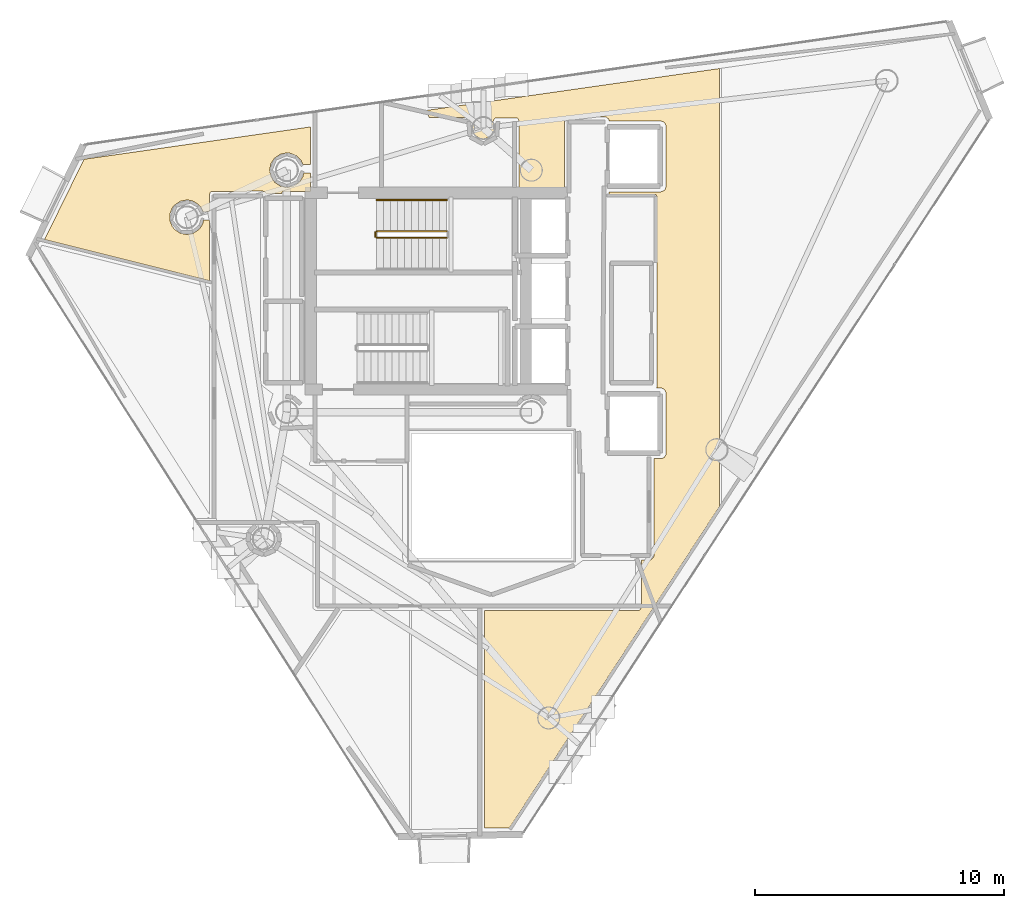
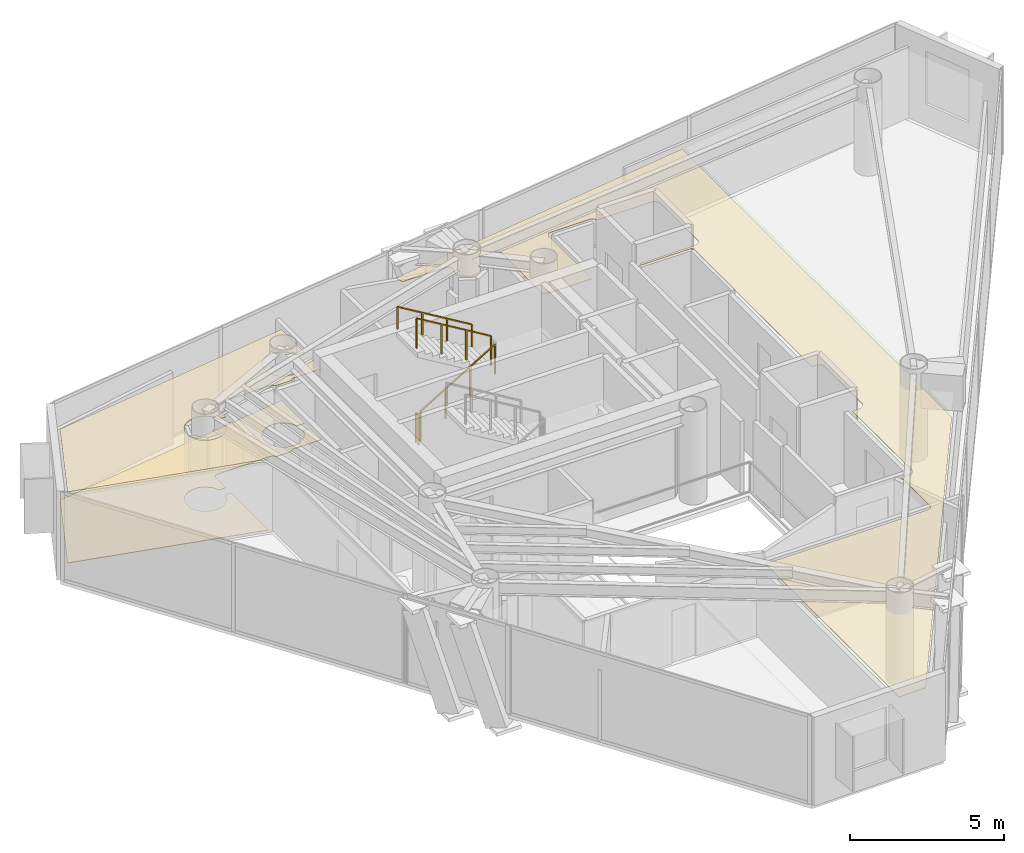
# One storey, part 24 of 25: 4 railings, 3 coverings.
"""IFC4 building model written with IfcOpenShell, lengths in metres."""

from ifc_helpers import new_model, si_unit, direction, frame, origin, origin_2d, place, context, subcontext, project, spatial, polyline, rectangle, outline, extrude, material, layer, layer_set, type_object, element, save


model = new_model("IFC4")

# Units and contexts
model_context = context("Model", 3, precision=1e-05, world=origin(), true_north=direction((0.0, 1.0)))
body_context = subcontext(model_context, "Body", "Model", "MODEL_VIEW")
ifc_project = project(units=[si_unit("LENGTHUNIT", "METRE"), si_unit("AREAUNIT", "SQUARE_METRE"), si_unit("VOLUMEUNIT", "CUBIC_METRE"), si_unit("PLANEANGLEUNIT", "RADIAN"), si_unit("MASSUNIT", "GRAM", prefix="KILO")], contexts=[model_context])

# Site, building, storey
site_placement = place(None, origin())
site = spatial("IfcSite", under=ifc_project, at=site_placement, CompositionType="ELEMENT")
building_placement = place(site_placement, origin())
building = spatial("IfcBuilding", under=site, at=building_placement, Name="Qianvela Tower", CompositionType="ELEMENT")
storey_placement = place(building_placement, frame((0.0, 0.0, 295.39990234375)))
storey = spatial("IfcBuildingStorey", under=building, at=storey_placement, Name="L76", CompositionType="ELEMENT", Elevation=295.39990234375)

# Coverings
ifc_material_1 = material(Name="Perforated Mineral Acoustic Ceiling Tile")
ifc_layer_1 = layer(ifc_material_1, 0.02490234375)
ifc_layer_set_1 = layer_set([ifc_layer_1], Name="Perforated Mineral Acoustic Ceiling Tile")
covering_type_1 = type_object("IfcCoveringType", Name="COV-CEIL-ACOUSTIC-25", PredefinedType="CEILING", material=ifc_layer_set_1)
covering_1_placement = place(storey_placement, frame((0.0, 0.0, 2.815185546875)))
element("IfcCovering", 1, at=covering_1_placement, inside=storey, type_object=covering_type_1, Name="L76 Acoustic Ceiling Bay 1 Campus Convenience Shop L76-03", PredefinedType="CEILING", context=body_context, shape_type="SweptSolid", body=[
    extrude(outline(polyline([(42.744384765625, 15.9228515625), (42.7509765625, 15.927001953125), (42.75732421875, 15.931640625), (42.76318359375, 15.93701171875), (42.768310546875, 15.942626953125), (42.773193359375, 15.948974609375), (42.777099609375, 15.955810546875), (42.780517578125, 15.962890625), (42.803955078125, 16.019287109375), (42.806640625, 16.02685546875), (42.80859375, 16.034423828125), (42.8095703125, 16.042236328125), (42.81005859375, 16.050048828125), (42.8076171875, 17.920166015625), (43.157958984375, 17.92041015625), (43.165771484375, 17.9208984375), (43.173583984375, 17.921875), (43.18115234375, 17.923828125), (43.1884765625, 17.926513671875), (43.195556640625, 17.9296875), (43.202392578125, 17.933837890625), (43.20849609375, 17.938720703125), (43.21435546875, 17.94384765625), (43.2861328125, 18.015625), (43.29150390625, 18.021484375), (43.296142578125, 18.027587890625), (43.30029296875, 18.034423828125), (43.303466796875, 18.04150390625), (43.30615234375, 18.048828125), (43.30810546875, 18.056640625), (43.30908203125, 18.064208984375), (43.3095703125, 18.072265625), (43.309326171875, 21.980712890625), (43.60791015625, 21.982666015625), (43.615478515625, 21.983154296875), (43.623291015625, 21.984375), (43.630859375, 21.986083984375), (43.637939453125, 21.98876953125), (43.64501953125, 21.9921875), (43.716796875, 22.030517578125), (43.723388671875, 22.034423828125), (43.729736328125, 22.039306640625), (43.735595703125, 22.04443359375), (43.74072265625, 22.05029296875), (43.74560546875, 22.056640625), (43.74951171875, 22.063232421875), (43.787841796875, 22.135009765625), (43.791259765625, 22.14208984375), (43.7939453125, 22.1494140625), (43.7958984375, 22.156982421875), (43.796875, 22.164794921875), (43.79736328125, 22.172607421875), (43.79931640625, 24.61376953125), (43.799072265625, 24.62060546875), (43.798095703125, 24.627685546875), (43.79638671875, 24.634765625), (43.79443359375, 24.641357421875), (43.79150390625, 24.64794921875), (43.751220703125, 24.733154296875), (43.74755859375, 24.739990234375), (43.743408203125, 24.74658203125), (43.73828125, 24.752685546875), (43.732666015625, 24.75830078125), (43.726806640625, 24.76318359375), (43.72021484375, 24.767578125), (43.713134765625, 24.771240234375), (43.6279296875, 24.8115234375), (43.619873046875, 24.81494140625), (43.611328125, 24.8173828125), (43.6025390625, 24.81884765625), (43.59375, 24.8193359375), (43.423828125, 24.8193359375), (43.423828125, 24.8193359375), (43.426513671875, 24.826904296875), (43.428466796875, 24.83447265625), (43.4296875, 24.84228515625), (43.429931640625, 24.85009765625), (43.429931640625, 32.5), (43.4296875, 32.5078125), (43.428466796875, 32.515625), (43.426513671875, 32.523193359375), (43.423828125, 32.530517578125), (43.420654296875, 32.53759765625), (43.41650390625, 32.54443359375), (43.411865234375, 32.55078125), (43.406494140625, 32.556640625), (43.40087890625, 32.561767578125), (43.394287109375, 32.56640625), (43.3876953125, 32.570556640625), (43.380615234375, 32.573974609375), (43.373291015625, 32.57666015625), (43.365478515625, 32.57861328125), (43.35791015625, 32.57958984375), (43.35009765625, 32.580078125), (41.52001953125, 32.580078125), (41.52001953125, 32.679931640625), (43.580078125, 32.679931640625), (43.587158203125, 32.680419921875), (43.593994140625, 32.68115234375), (43.60107421875, 32.682861328125), (43.607666015625, 32.684814453125), (43.6142578125, 32.687744140625), (43.722412109375, 32.739013671875), (43.729248046875, 32.74267578125), (43.73583984375, 32.746826171875), (43.741943359375, 32.751953125), (43.74755859375, 32.757568359375), (43.75244140625, 32.763427734375), (43.7568359375, 32.77001953125), (43.760498046875, 32.777099609375), (43.763427734375, 32.7841796875), (43.79541015625, 32.873046875), (43.79736328125, 32.879638671875), (43.798828125, 32.886474609375), (43.7998046875, 32.893310546875), (43.800048828125, 32.900390625), (43.789306640625, 35.35400390625), (43.788818359375, 35.36181640625), (43.787841796875, 35.369384765625), (43.785888671875, 35.376953125), (43.783203125, 35.38427734375), (43.77978515625, 35.391357421875), (43.77587890625, 35.398193359375), (43.771240234375, 35.404296875), (43.719482421875, 35.46728515625), (43.71435546875, 35.472900390625), (43.70849609375, 35.478271484375), (43.7021484375, 35.48291015625), (43.695556640625, 35.487060546875), (43.6884765625, 35.490234375), (43.680908203125, 35.492919921875), (43.603271484375, 35.5166015625), (43.595703125, 35.5185546875), (43.587890625, 35.51953125), (43.580078125, 35.52001953125), (41.515625, 35.52001953125), (41.513916015625, 35.554931640625), (41.512939453125, 35.562744140625), (41.511474609375, 35.5703125), (41.509033203125, 35.577880859375), (41.506103515625, 35.585205078125), (41.50244140625, 35.591796875), (41.498046875, 35.598388671875), (41.4931640625, 35.6044921875), (41.487548828125, 35.60986328125), (41.481689453125, 35.614990234375), (41.41552734375, 35.663818359375), (41.409423828125, 35.66796875), (41.40283203125, 35.67138671875), (41.396240234375, 35.67431640625), (41.38916015625, 35.6767578125), (41.382080078125, 35.67822265625), (41.374755859375, 35.67919921875), (41.367431640625, 35.6796875), (39.841796875, 35.670654296875), (39.83349609375, 35.670166015625), (39.825439453125, 35.668701171875), (39.817626953125, 35.666748046875), (39.81005859375, 35.663818359375), (39.802490234375, 35.659912109375), (39.795654296875, 35.655517578125), (39.789306640625, 35.650390625), (39.783447265625, 35.644775390625), (39.7783203125, 35.638427734375), (39.773681640625, 35.631591796875), (39.7314453125, 35.56103515625), (39.727294921875, 35.553466796875), (39.72412109375, 35.54541015625), (39.721923828125, 35.537109375), (39.720458984375, 35.528564453125), (39.719970703125, 35.52001953125), (39.719970703125, 32.719970703125), (38.129150390625, 32.719970703125), (38.068115234375, 32.756103515625), (38.060791015625, 32.760009765625), (38.052978515625, 32.76318359375), (38.044921875, 32.765380859375), (38.03662109375, 32.766845703125), (38.0283203125, 32.767333984375), (37.907470703125, 32.768798828125), (37.909912109375, 35.5), (37.90966796875, 35.507080078125), (37.90869140625, 35.513916015625), (37.9072265625, 35.52099609375), (37.905029296875, 35.527587890625), (37.90234375, 35.5341796875), (37.873046875, 35.595947265625), (37.869140625, 35.603271484375), (37.864501953125, 35.610107421875), (37.859375, 35.6162109375), (37.853515625, 35.6220703125), (37.84716796875, 35.626953125), (37.840087890625, 35.63134765625), (37.8330078125, 35.635009765625), (37.8251953125, 35.637939453125), (37.8173828125, 35.64013671875), (37.809326171875, 35.641357421875), (37.80126953125, 35.641845703125), (36.982421875, 35.64599609375), (36.974365234375, 35.645751953125), (36.96630859375, 35.64453125), (36.95849609375, 35.642578125), (36.950927734375, 35.639892578125), (36.94384765625, 35.636474609375), (36.93701171875, 35.63232421875), (36.930419921875, 35.62744140625), (36.9248046875, 35.6220703125), (36.919189453125, 35.615966796875), (36.914794921875, 35.609619140625), (36.91064453125, 35.6025390625), (36.875732421875, 35.5341796875), (36.87255859375, 35.527099609375), (36.8701171875, 35.51953125), (36.8681640625, 35.511962890625), (36.8671875, 35.504150390625), (36.866943359375, 35.49609375), (36.86767578125, 35.48828125), (36.868896484375, 35.48046875), (36.92431640625, 35.23291015625), (36.91748046875, 35.163330078125), (36.84765625, 34.99462890625), (36.72705078125, 34.874267578125), (36.4755859375, 34.796142578125), (36.305419921875, 34.830078125), (36.10302734375, 34.998291015625), (36.03466796875, 35.163330078125), (36.02783203125, 35.23291015625), (36.0830078125, 35.48046875), (36.08447265625, 35.48779296875), (36.0849609375, 35.4951171875), (36.0849609375, 35.502685546875), (36.083984375, 35.510009765625), (36.08251953125, 35.517333984375), (36.08056640625, 35.5244140625), (36.07763671875, 35.53125), (36.07421875, 35.537841796875), (36.03271484375, 35.610107421875), (36.028564453125, 35.61669921875), (36.02392578125, 35.62255859375), (36.0185546875, 35.6279296875), (36.012939453125, 35.633056640625), (36.0068359375, 35.637451171875), (36.000244140625, 35.64111328125), (35.993408203125, 35.644287109375), (35.986083984375, 35.64697265625), (35.978759765625, 35.648681640625), (35.97119140625, 35.64990234375), (35.9638671875, 35.650146484375), (34.30078125, 35.65966796875), (34.208740234375, 35.94921875), (45.9453125, 37.625244140625), (45.9453125, 20.068359375), (37.52587890625, 7.18603515625), (36.52294921875, 7.166748046875), (36.52294921875, 15.889892578125), (42.64990234375, 15.889892578125), (42.65771484375, 15.890380859375), (42.66552734375, 15.8916015625), (42.673095703125, 15.893310546875), (42.6806640625, 15.89599609375), (42.7373046875, 15.91943359375), (42.744384765625, 15.9228515625)])), origin(), (0.0, 0.0, 1.0), 0.02490234375),
])
covering_2_placement = place(storey_placement, frame((0.0, 0.0, 2.815185546875)))
element("IfcCovering", 2, at=covering_2_placement, inside=storey, type_object=covering_type_1, Name="L76 Acoustic Ceiling Student Bookshop Market L76-04", PredefinedType="CEILING", context=body_context, shape_type="SweptSolid", body=[
    extrude(outline(polyline([(29.5400390625, 32.699951171875), (28.47998046875, 32.699951171875), (28.47216796875, 32.69970703125), (28.464111328125, 32.698486328125), (28.45654296875, 32.696533203125), (28.44921875, 32.69384765625), (28.44189453125, 32.690185546875), (28.43505859375, 32.686279296875), (28.4287109375, 32.681396484375), (28.4228515625, 32.676025390625), (28.417724609375, 32.670166015625), (28.4130859375, 32.663818359375), (28.408935546875, 32.656982421875), (28.40576171875, 32.649658203125), (28.403076171875, 32.64208984375), (28.4013671875, 32.634521484375), (28.400390625, 32.62646484375), (28.39892578125, 32.609619140625), (27.7626953125, 32.607666015625), (27.759521484375, 32.6201171875), (27.757080078125, 32.62744140625), (27.754150390625, 32.634765625), (27.75048828125, 32.6416015625), (27.74609375, 32.648193359375), (27.7412109375, 32.654296875), (27.735595703125, 32.659912109375), (27.7294921875, 32.6650390625), (27.722900390625, 32.66943359375), (27.716064453125, 32.673095703125), (27.654296875, 32.702392578125), (27.647705078125, 32.705078125), (27.640625, 32.707275390625), (27.633544921875, 32.708740234375), (27.62646484375, 32.709716796875), (27.619384765625, 32.7099609375), (25.598388671875, 32.69189453125), (25.59033203125, 32.69140625), (25.58251953125, 32.68994140625), (25.574462890625, 32.68798828125), (25.56689453125, 32.68505859375), (25.5595703125, 32.681396484375), (25.552734375, 32.677001953125), (25.54638671875, 32.671875), (25.54052734375, 32.666259765625), (25.535400390625, 32.659912109375), (25.53076171875, 32.6533203125), (25.52685546875, 32.64599609375), (25.497802734375, 32.584228515625), (25.494384765625, 32.575927734375), (25.491943359375, 32.5673828125), (25.490478515625, 32.558837890625), (25.489990234375, 32.550048828125), (25.489990234375, 31.894775390625), (25.22802734375, 31.89404296875), (25.16748046875, 32.03369140625), (25.164306640625, 32.040283203125), (25.160400390625, 32.046630859375), (25.156005859375, 32.052490234375), (25.080078125, 32.14501953125), (25.074951171875, 32.15087890625), (25.069091796875, 32.15625), (25.062744140625, 32.160888671875), (24.864990234375, 32.293212890625), (24.858154296875, 32.297119140625), (24.85107421875, 32.300537109375), (24.84375, 32.302978515625), (24.729248046875, 32.337890625), (24.7216796875, 32.339599609375), (24.7138671875, 32.3408203125), (24.5947265625, 32.3525390625), (24.5869140625, 32.35302734375), (24.5791015625, 32.3525390625), (24.5712890625, 32.3515625), (24.337890625, 32.304931640625), (24.330322265625, 32.302978515625), (24.322998046875, 32.300537109375), (24.31591796875, 32.297119140625), (24.30908203125, 32.293212890625), (24.111083984375, 32.160888671875), (24.10498046875, 32.15625), (24.09912109375, 32.15087890625), (24.09375, 32.14501953125), (24.01806640625, 32.052490234375), (24.01318359375, 32.04638671875), (24.00927734375, 32.03955078125), (24.005859375, 32.032470703125), (23.914794921875, 31.8125), (23.912109375, 31.80517578125), (23.910400390625, 31.797607421875), (23.9091796875, 31.789794921875), (23.90869140625, 31.781982421875), (23.90869140625, 31.5439453125), (23.9091796875, 31.5361328125), (23.910400390625, 31.5283203125), (23.912109375, 31.520751953125), (23.914794921875, 31.513427734375), (24.005859375, 31.29345703125), (24.00927734375, 31.286376953125), (24.01318359375, 31.27978515625), (24.01806640625, 31.2734375), (24.09375, 31.180908203125), (24.09912109375, 31.175048828125), (24.10498046875, 31.169921875), (24.111083984375, 31.1650390625), (24.30908203125, 31.032958984375), (24.31591796875, 31.02880859375), (24.322998046875, 31.025390625), (24.330322265625, 31.02294921875), (24.337890625, 31.02099609375), (24.5712890625, 30.974609375), (24.5791015625, 30.973388671875), (24.5869140625, 30.972900390625), (24.5947265625, 30.973388671875), (24.6025390625, 30.974609375), (24.8359375, 31.02099609375), (24.84375, 31.02294921875), (24.85107421875, 31.025390625), (24.858154296875, 31.02880859375), (24.864990234375, 31.032958984375), (25.062744140625, 31.1650390625), (25.069091796875, 31.169921875), (25.074951171875, 31.175048828125), (25.080078125, 31.180908203125), (25.156005859375, 31.2734375), (25.16064453125, 31.27978515625), (25.164794921875, 31.286376953125), (25.22119140625, 31.391845703125), (25.224365234375, 31.398681640625), (25.226806640625, 31.405517578125), (25.228759765625, 31.412841796875), (25.2587890625, 31.55419921875), (25.489990234375, 31.5546875), (25.489990234375, 29.1201171875), (18.885498046875, 30.766845703125), (20.465087890625, 33.986572265625), (29.5400390625, 35.282470703125), (29.5400390625, 33.781982421875), (29.2412109375, 33.781005859375), (29.1806640625, 33.920654296875), (29.17724609375, 33.927490234375), (29.17333984375, 33.933837890625), (29.168701171875, 33.93994140625), (29.163818359375, 33.945556640625), (28.99560546875, 34.11376953125), (28.989501953125, 34.118896484375), (28.9833984375, 34.123779296875), (28.9765625, 34.127685546875), (28.969482421875, 34.131103515625), (28.74951171875, 34.22216796875), (28.7421875, 34.224853515625), (28.734619140625, 34.226806640625), (28.726806640625, 34.227783203125), (28.60791015625, 34.239501953125), (28.60009765625, 34.239990234375), (28.59228515625, 34.239501953125), (28.58447265625, 34.238525390625), (28.35107421875, 34.19189453125), (28.34326171875, 34.190185546875), (28.3359375, 34.1875), (28.328857421875, 34.18408203125), (28.322021484375, 34.18017578125), (28.124267578125, 34.0478515625), (28.117919921875, 34.043212890625), (28.112060546875, 34.037841796875), (28.106689453125, 34.031982421875), (28.10205078125, 34.02587890625), (27.969970703125, 33.827880859375), (27.9658203125, 33.821044921875), (27.96240234375, 33.814208984375), (27.9599609375, 33.806640625), (27.9580078125, 33.799072265625), (27.91162109375, 33.565673828125), (27.910400390625, 33.557861328125), (27.909912109375, 33.550048828125), (27.910400390625, 33.542236328125), (27.91162109375, 33.534423828125), (27.9580078125, 33.301025390625), (27.9599609375, 33.293212890625), (27.96240234375, 33.285888671875), (27.9658203125, 33.27880859375), (27.969970703125, 33.272216796875), (28.10205078125, 33.07421875), (28.106689453125, 33.06787109375), (28.112060546875, 33.06201171875), (28.117919921875, 33.056884765625), (28.124267578125, 33.052001953125), (28.322021484375, 32.919921875), (28.328857421875, 32.916015625), (28.3359375, 32.91259765625), (28.34326171875, 32.909912109375), (28.35107421875, 32.907958984375), (28.58447265625, 32.861572265625), (28.59228515625, 32.8603515625), (28.60009765625, 32.860107421875), (28.60791015625, 32.8603515625), (28.615478515625, 32.861572265625), (28.84912109375, 32.907958984375), (28.856689453125, 32.909912109375), (28.864013671875, 32.91259765625), (28.87109375, 32.916015625), (28.8779296875, 32.919921875), (29.07568359375, 33.052001953125), (29.08203125, 33.056884765625), (29.087890625, 33.06201171875), (29.09326171875, 33.06787109375), (29.097900390625, 33.07421875), (29.22998046875, 33.272216796875), (29.23388671875, 33.278564453125), (29.2373046875, 33.285400390625), (29.239990234375, 33.29248046875), (29.24169921875, 33.2998046875), (29.27197265625, 33.441162109375), (29.5400390625, 33.44189453125), (29.5400390625, 32.699951171875)])), origin(), (0.0, 0.0, 1.0), 0.02490234375),
])
ifc_material_2 = material(Name="Engineered Acoustic Oak Timber Flooring", Category="wood")
ifc_layer_2 = layer(ifc_material_2, 0.02001953125)
ifc_layer_set_2 = layer_set([ifc_layer_2], Name="Engineered Acoustic Oak Timber Flooring")
covering_type_2 = type_object("IfcCoveringType", Name="COV-FLOOR-OAK-20", PredefinedType="FLOORING", material=ifc_layer_set_2)
covering_3_placement = place(storey_placement, origin())
element("IfcCovering", 3, at=covering_3_placement, inside=storey, type_object=covering_type_2, Name="L76 Finish Flooring Student Bookshop Market L76-04", PredefinedType="FLOORING", context=body_context, shape_type="SweptSolid", body=[
    extrude(outline(polyline([(29.5400390625, 32.699951171875), (28.47998046875, 32.699951171875), (28.47216796875, 32.69970703125), (28.464111328125, 32.698486328125), (28.45654296875, 32.696533203125), (28.44921875, 32.69384765625), (28.44189453125, 32.690185546875), (28.43505859375, 32.686279296875), (28.4287109375, 32.681396484375), (28.4228515625, 32.676025390625), (28.417724609375, 32.670166015625), (28.4130859375, 32.663818359375), (28.408935546875, 32.656982421875), (28.40576171875, 32.649658203125), (28.403076171875, 32.64208984375), (28.4013671875, 32.634521484375), (28.400390625, 32.62646484375), (28.39892578125, 32.609619140625), (27.7626953125, 32.607666015625), (27.759521484375, 32.6201171875), (27.757080078125, 32.62744140625), (27.754150390625, 32.634765625), (27.75048828125, 32.6416015625), (27.74609375, 32.648193359375), (27.7412109375, 32.654296875), (27.735595703125, 32.659912109375), (27.7294921875, 32.6650390625), (27.722900390625, 32.66943359375), (27.716064453125, 32.673095703125), (27.654296875, 32.702392578125), (27.647705078125, 32.705078125), (27.640625, 32.707275390625), (27.633544921875, 32.708740234375), (27.62646484375, 32.709716796875), (27.619384765625, 32.7099609375), (25.598388671875, 32.69189453125), (25.59033203125, 32.69140625), (25.58251953125, 32.68994140625), (25.574462890625, 32.68798828125), (25.56689453125, 32.68505859375), (25.5595703125, 32.681396484375), (25.552734375, 32.677001953125), (25.54638671875, 32.671875), (25.54052734375, 32.666259765625), (25.535400390625, 32.659912109375), (25.53076171875, 32.6533203125), (25.52685546875, 32.64599609375), (25.497802734375, 32.584228515625), (25.494384765625, 32.575927734375), (25.491943359375, 32.5673828125), (25.490478515625, 32.558837890625), (25.489990234375, 32.550048828125), (25.489990234375, 31.894775390625), (25.22802734375, 31.89404296875), (25.16748046875, 32.03369140625), (25.164306640625, 32.040283203125), (25.160400390625, 32.046630859375), (25.156005859375, 32.052490234375), (25.080078125, 32.14501953125), (25.074951171875, 32.15087890625), (25.069091796875, 32.15625), (25.062744140625, 32.160888671875), (24.864990234375, 32.293212890625), (24.858154296875, 32.297119140625), (24.85107421875, 32.300537109375), (24.84375, 32.302978515625), (24.729248046875, 32.337890625), (24.7216796875, 32.339599609375), (24.7138671875, 32.3408203125), (24.5947265625, 32.3525390625), (24.5869140625, 32.35302734375), (24.5791015625, 32.3525390625), (24.5712890625, 32.3515625), (24.337890625, 32.304931640625), (24.330322265625, 32.302978515625), (24.322998046875, 32.300537109375), (24.31591796875, 32.297119140625), (24.30908203125, 32.293212890625), (24.111083984375, 32.160888671875), (24.10498046875, 32.15625), (24.09912109375, 32.15087890625), (24.09375, 32.14501953125), (24.01806640625, 32.052490234375), (24.01318359375, 32.04638671875), (24.00927734375, 32.03955078125), (24.005859375, 32.032470703125), (23.914794921875, 31.8125), (23.912109375, 31.80517578125), (23.910400390625, 31.797607421875), (23.9091796875, 31.789794921875), (23.90869140625, 31.781982421875), (23.90869140625, 31.5439453125), (23.9091796875, 31.5361328125), (23.910400390625, 31.5283203125), (23.912109375, 31.520751953125), (23.914794921875, 31.513427734375), (24.005859375, 31.29345703125), (24.00927734375, 31.286376953125), (24.01318359375, 31.27978515625), (24.01806640625, 31.2734375), (24.09375, 31.180908203125), (24.09912109375, 31.175048828125), (24.10498046875, 31.169921875), (24.111083984375, 31.1650390625), (24.30908203125, 31.032958984375), (24.31591796875, 31.02880859375), (24.322998046875, 31.025390625), (24.330322265625, 31.02294921875), (24.337890625, 31.02099609375), (24.5712890625, 30.974609375), (24.5791015625, 30.973388671875), (24.5869140625, 30.972900390625), (24.5947265625, 30.973388671875), (24.6025390625, 30.974609375), (24.8359375, 31.02099609375), (24.84375, 31.02294921875), (24.85107421875, 31.025390625), (24.858154296875, 31.02880859375), (24.864990234375, 31.032958984375), (25.062744140625, 31.1650390625), (25.069091796875, 31.169921875), (25.074951171875, 31.175048828125), (25.080078125, 31.180908203125), (25.156005859375, 31.2734375), (25.16064453125, 31.27978515625), (25.164794921875, 31.286376953125), (25.22119140625, 31.391845703125), (25.224365234375, 31.398681640625), (25.226806640625, 31.405517578125), (25.228759765625, 31.412841796875), (25.2587890625, 31.55419921875), (25.489990234375, 31.5546875), (25.489990234375, 29.1201171875), (18.885498046875, 30.766845703125), (20.465087890625, 33.986572265625), (29.5400390625, 35.282470703125), (29.5400390625, 33.781982421875), (29.2412109375, 33.781005859375), (29.1806640625, 33.920654296875), (29.17724609375, 33.927490234375), (29.17333984375, 33.933837890625), (29.168701171875, 33.93994140625), (29.163818359375, 33.945556640625), (28.99560546875, 34.11376953125), (28.989501953125, 34.118896484375), (28.9833984375, 34.123779296875), (28.9765625, 34.127685546875), (28.969482421875, 34.131103515625), (28.74951171875, 34.22216796875), (28.7421875, 34.224853515625), (28.734619140625, 34.226806640625), (28.726806640625, 34.227783203125), (28.60791015625, 34.239501953125), (28.60009765625, 34.239990234375), (28.59228515625, 34.239501953125), (28.58447265625, 34.238525390625), (28.35107421875, 34.19189453125), (28.34326171875, 34.190185546875), (28.3359375, 34.1875), (28.328857421875, 34.18408203125), (28.322021484375, 34.18017578125), (28.124267578125, 34.0478515625), (28.117919921875, 34.043212890625), (28.112060546875, 34.037841796875), (28.106689453125, 34.031982421875), (28.10205078125, 34.02587890625), (27.969970703125, 33.827880859375), (27.9658203125, 33.821044921875), (27.96240234375, 33.814208984375), (27.9599609375, 33.806640625), (27.9580078125, 33.799072265625), (27.91162109375, 33.565673828125), (27.910400390625, 33.557861328125), (27.909912109375, 33.550048828125), (27.910400390625, 33.542236328125), (27.91162109375, 33.534423828125), (27.9580078125, 33.301025390625), (27.9599609375, 33.293212890625), (27.96240234375, 33.285888671875), (27.9658203125, 33.27880859375), (27.969970703125, 33.272216796875), (28.10205078125, 33.07421875), (28.106689453125, 33.06787109375), (28.112060546875, 33.06201171875), (28.117919921875, 33.056884765625), (28.124267578125, 33.052001953125), (28.322021484375, 32.919921875), (28.328857421875, 32.916015625), (28.3359375, 32.91259765625), (28.34326171875, 32.909912109375), (28.35107421875, 32.907958984375), (28.58447265625, 32.861572265625), (28.59228515625, 32.8603515625), (28.60009765625, 32.860107421875), (28.60791015625, 32.8603515625), (28.615478515625, 32.861572265625), (28.84912109375, 32.907958984375), (28.856689453125, 32.909912109375), (28.864013671875, 32.91259765625), (28.87109375, 32.916015625), (28.8779296875, 32.919921875), (29.07568359375, 33.052001953125), (29.08203125, 33.056884765625), (29.087890625, 33.06201171875), (29.09326171875, 33.06787109375), (29.097900390625, 33.07421875), (29.22998046875, 33.272216796875), (29.23388671875, 33.278564453125), (29.2373046875, 33.285400390625), (29.239990234375, 33.29248046875), (29.24169921875, 33.2998046875), (29.27197265625, 33.441162109375), (29.5400390625, 33.44189453125), (29.5400390625, 32.699951171875)])), origin(), (0.0, 0.0, 1.0), 0.02001953125),
])

# Railings
ifc_material_3 = material(Name="Painted Tubular Steel Q355B", Category="steel")
railing_type_1 = type_object("IfcRailingType", Name="RL-STAIR-GUARD-1200", PredefinedType="GUARDRAIL", material=ifc_material_3)
railing_1_placement = place(storey_placement, frame((32.199951171875, 30.840087890625, 0.168212890625)))
element("IfcRailing", 4, at=railing_1_placement, inside=storey, type_object=railing_type_1, Name="L76 ST-1 stair guard 1", PredefinedType="GUARDRAIL", context=body_context, shape_type="SweptSolid", body=[
    extrude(rectangle(XDim=0.050048828125, YDim=0.0400390625, at=origin_2d()), frame((0.0, 0.0, 1.179931640625), z_axis=(0.857242210791, 0.0, 0.514913383045), x_axis=(0.0, 1.0, 0.0)), (0.0, 0.0, 1.0), 3.266357421875),
    extrude(rectangle(XDim=0.050048828125, YDim=0.050048828125, at=origin_2d()), origin(), (0.0, 0.0, 1.0), 1.159912109375),
    extrude(rectangle(XDim=0.050048828125, YDim=0.050048828125, at=origin_2d()), frame((0.933349609375, 0.0, 0.560546875)), (0.0, 0.0, 1.0), 1.159912109375),
    extrude(rectangle(XDim=0.050048828125, YDim=0.050048828125, at=origin_2d()), frame((1.86669921875, 0.0, 1.121337890625)), (0.0, 0.0, 1.0), 1.159912109375),
    extrude(rectangle(XDim=0.050048828125, YDim=0.050048828125, at=origin_2d()), frame((2.800048828125, 0.0, 1.681884765625)), (0.0, 0.0, 1.0), 1.159912109375),
])
railing_2_placement = place(storey_placement, frame((35.0, 31.10009765625, 2.018310546875)))
element("IfcRailing", 5, at=railing_2_placement, inside=storey, type_object=railing_type_1, Name="L76 ST-1 stair guard 3", PredefinedType="GUARDRAIL", context=body_context, shape_type="SweptSolid", body=[
    extrude(rectangle(XDim=0.050048828125, YDim=0.0400390625, at=origin_2d()), frame((0.0, 0.0, 1.179931640625), z_axis=(-0.857242210791, 0.0, 0.514913383045), x_axis=(0.0, -1.0, 0.0)), (0.0, 0.0, 1.0), 3.266357421875),
    extrude(rectangle(XDim=0.050048828125, YDim=0.050048828125, at=origin_2d()), origin(), (0.0, 0.0, 1.0), 1.159912109375),
    extrude(rectangle(XDim=0.050048828125, YDim=0.050048828125, at=origin_2d()), frame((-0.933349609375, 0.0, 0.560546875)), (0.0, 0.0, 1.0), 1.159912109375),
    extrude(rectangle(XDim=0.050048828125, YDim=0.050048828125, at=origin_2d()), frame((-1.86669921875, 0.0, 1.121337890625)), (0.0, 0.0, 1.0), 1.159912109375),
    extrude(rectangle(XDim=0.050048828125, YDim=0.050048828125, at=origin_2d()), frame((-2.800048828125, 0.0, 1.681884765625)), (0.0, 0.0, 1.0), 1.159912109375),
])
railing_3_placement = place(storey_placement, frame((32.14990234375, 30.889892578125, 0.0)))
element("IfcRailing", 6, at=railing_3_placement, inside=storey, type_object=railing_type_1, Name="L76 ST-1 stair guard 4", PredefinedType="GUARDRAIL", context=body_context, shape_type="SweptSolid", body=[
    extrude(rectangle(XDim=0.050048828125, YDim=0.0400390625, at=origin_2d()), frame((0.0, 0.0, 1.179931640625), z_axis=(0.0, 1.0, 0.0), x_axis=(-1.0, 0.0, 0.0)), (0.0, 0.0, 1.0), 0.16015625),
    extrude(rectangle(XDim=0.050048828125, YDim=0.050048828125, at=origin_2d()), origin(), (0.0, 0.0, 1.0), 1.159912109375),
    extrude(rectangle(XDim=0.050048828125, YDim=0.050048828125, at=origin_2d()), frame((0.0, 0.16015625, 0.0)), (0.0, 0.0, 1.0), 1.159912109375),
])
ifc_material_4 = material(Name="Brushed Stainless Steel 304", Category="steel")
railing_type_2 = type_object("IfcRailingType", Name="RL-STAIR-HANDRAIL-900", PredefinedType="HANDRAIL", material=ifc_material_4)
railing_4_placement = place(storey_placement, frame((35.0, 32.35009765625, 2.018310546875)))
element("IfcRailing", 7, at=railing_4_placement, inside=storey, type_object=railing_type_2, Name="L76 ST-1 stair handrail 2", PredefinedType="HANDRAIL", context=body_context, shape_type="SweptSolid", body=[
    extrude(rectangle(XDim=0.050048828125, YDim=0.0400390625, at=origin_2d()), frame((0.0, 0.0, 0.8798828125), z_axis=(-0.857242210791, 0.0, 0.514913383045), x_axis=(0.0, -1.0, 0.0)), (0.0, 0.0, 1.0), 3.266357421875),
    extrude(rectangle(XDim=0.050048828125, YDim=0.050048828125, at=origin_2d()), origin(), (0.0, 0.0, 1.0), 0.85986328125),
    extrude(rectangle(XDim=0.050048828125, YDim=0.050048828125, at=origin_2d()), frame((-0.933349609375, 0.0, 0.560546875)), (0.0, 0.0, 1.0), 0.85986328125),
    extrude(rectangle(XDim=0.050048828125, YDim=0.050048828125, at=origin_2d()), frame((-1.86669921875, 0.0, 1.121337890625)), (0.0, 0.0, 1.0), 0.85986328125),
    extrude(rectangle(XDim=0.050048828125, YDim=0.050048828125, at=origin_2d()), frame((-2.800048828125, 0.0, 1.681884765625)), (0.0, 0.0, 1.0), 0.85986328125),
])

save(model, "model.ifc")
